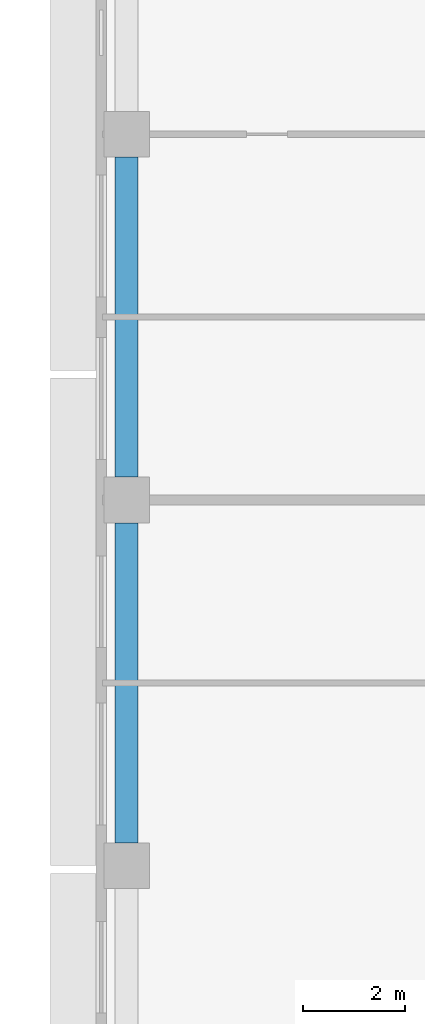
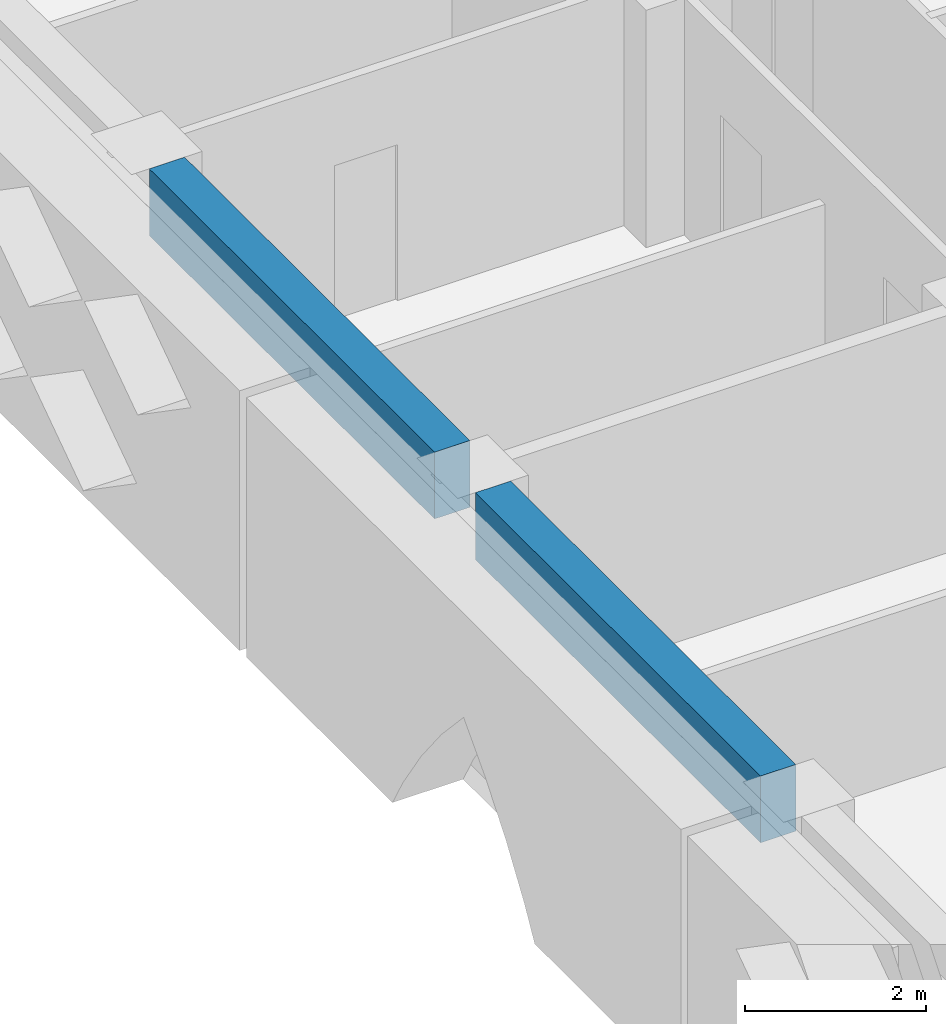
# One storey, part 3 of 19: 2 beams.
"""IFC4 building model written with IfcOpenShell, lengths in metres."""

from ifc_helpers import new_model, si_unit, direction, frame, origin, origin_2d, place, context, subcontext, project, spatial, rectangle, extrude, source, transform, mapped, material, material_profile, profile_set, type_object, element, save


model = new_model("IFC4")

# Units and contexts
model_context = context("Model", 3, precision=1e-05, world=origin(), true_north=direction((0.0, 1.0)))
body_context = subcontext(model_context, "Body", "Model", "MODEL_VIEW")
ifc_project = project(units=[si_unit("LENGTHUNIT", "METRE"), si_unit("AREAUNIT", "SQUARE_METRE"), si_unit("VOLUMEUNIT", "CUBIC_METRE"), si_unit("PLANEANGLEUNIT", "RADIAN"), si_unit("MASSUNIT", "GRAM", prefix="KILO")], contexts=[model_context])

# Site, building, storey
site_placement = place(None, origin())
site = spatial("IfcSite", under=ifc_project, at=site_placement, CompositionType="ELEMENT")
building_placement = place(site_placement, origin())
building = spatial("IfcBuilding", under=site, at=building_placement, Name="Saffron Iwan Residences", CompositionType="ELEMENT")
storey_placement = place(building_placement, frame((0.0, 0.0, 116.5)))
storey = spatial("IfcBuildingStorey", under=building, at=storey_placement, Name="L30", CompositionType="ELEMENT", Elevation=116.5)

# Beams
ifc_material = material(Name="Concrete C50/60", Category="concrete")
ifc_material_profile = material_profile(ifc_material, rectangle(XDim=0.449951171875, YDim=0.89990234375, at=origin_2d()), Name="RC 450x900")
ifc_profile_set = profile_set([ifc_material_profile], Name="Concrete C50/60")
beam_type = type_object("IfcBeamType", Name="SPANDREL BEAM RC 450x900 C50/60 TOP 3200", PredefinedType="SPANDREL", material=ifc_profile_set)
shared_shape_1 = source(origin(), body_context, "Body", "SweptSolid", [
    extrude(rectangle(XDim=0.449951171875, YDim=0.89990234375, at=origin_2d()), origin(), (0.0, 0.0, 1.0), 6.300048828125),
])
beam_1_placement = place(storey_placement, frame((15.0, 55.64990234375, 2.75), z_axis=(0.0, 1.0, 0.0), x_axis=(-1.0, 0.0, 0.0)))
element("IfcBeam", 1, at=beam_1_placement, inside=storey, type_object=beam_type, Name="Spandrel beam", PredefinedType="SPANDREL", context=body_context, shape_type="MappedRepresentation", body=[
    mapped(shared_shape_1, transform((0.0, 0.0, 0.0))),
])
shared_shape_2 = source(origin(), body_context, "Body", "SweptSolid", [
    extrude(rectangle(XDim=0.449951171875, YDim=0.89990234375, at=origin_2d()), origin(), (0.0, 0.0, 1.0), 6.2998046875),
])
beam_2_placement = place(storey_placement, frame((15.0, 62.85009765625, 2.75), z_axis=(0.0, 1.0, 0.0), x_axis=(-1.0, 0.0, 0.0)))
element("IfcBeam", 2, at=beam_2_placement, inside=storey, type_object=beam_type, Name="Spandrel beam", PredefinedType="SPANDREL", context=body_context, shape_type="MappedRepresentation", body=[
    mapped(shared_shape_2, transform((0.0, 0.0, 0.0))),
])

save(model, "model.ifc")
